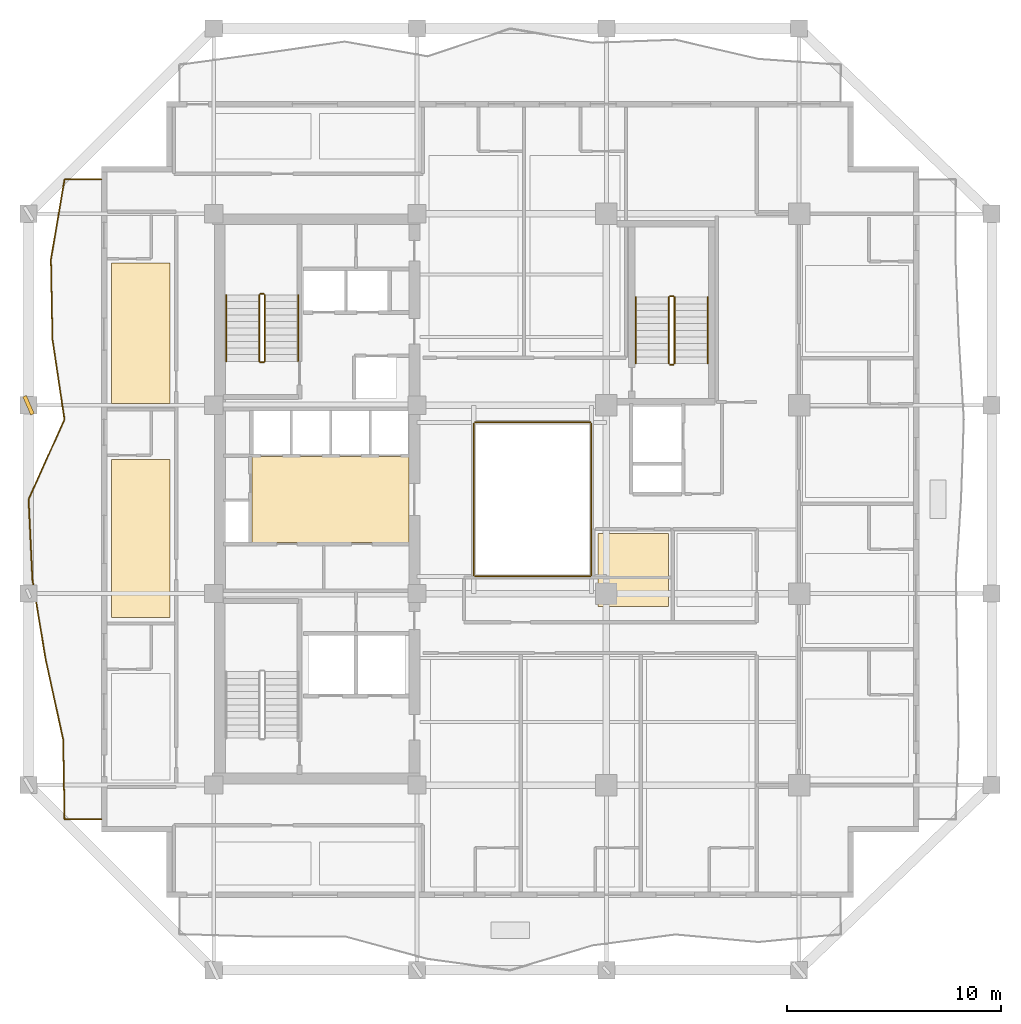
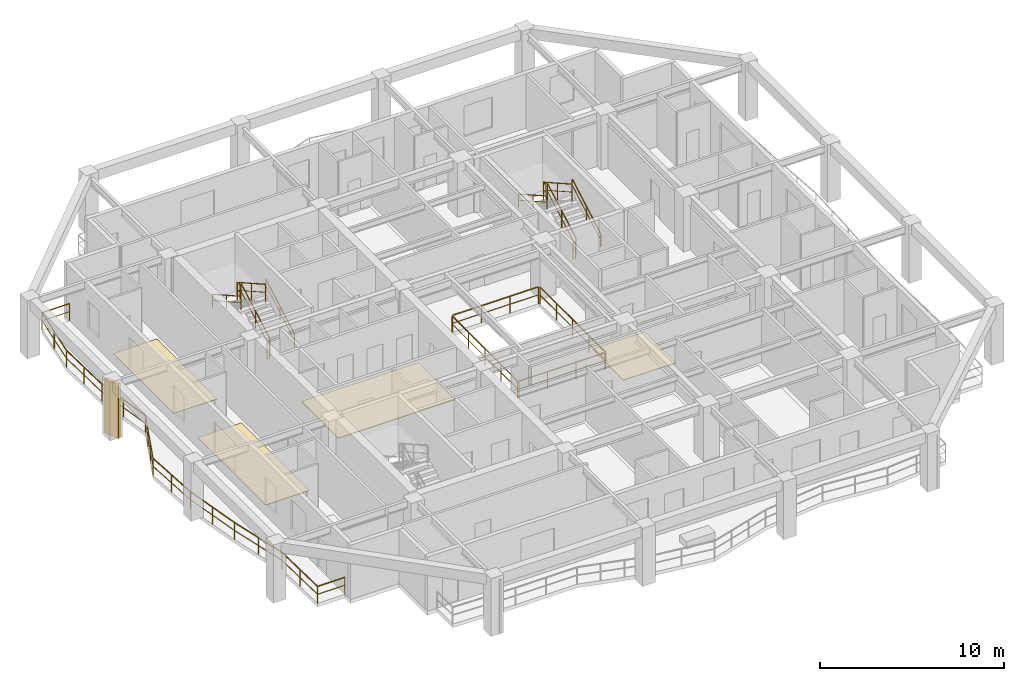
# One storey, part 9 of 11: 17 railings, 4 coverings, 1 shading device.
"""IFC4 building model written with IfcOpenShell, lengths in metres."""

from ifc_helpers import new_model, si_unit, direction, frame, origin, origin_2d, place, context, subcontext, project, spatial, polyline, rectangle, outline, extrude, material, layer, layer_set, type_object, element, save


model = new_model("IFC4")

# Units and contexts
model_context = context("Model", 3, precision=1e-05, world=origin(), true_north=direction((0.0, 1.0)))
body_context = subcontext(model_context, "Body", "Model", "MODEL_VIEW")
ifc_project = project(units=[si_unit("LENGTHUNIT", "METRE"), si_unit("AREAUNIT", "SQUARE_METRE"), si_unit("VOLUMEUNIT", "CUBIC_METRE"), si_unit("PLANEANGLEUNIT", "RADIAN"), si_unit("MASSUNIT", "GRAM", prefix="KILO")], contexts=[model_context])

# Site, building, storey
site_placement = place(None, origin())
site = spatial("IfcSite", under=ifc_project, at=site_placement, CompositionType="ELEMENT")
building_placement = place(site_placement, origin())
building = spatial("IfcBuilding", under=site, at=building_placement, Name="Kundavana Baori Tower", CompositionType="ELEMENT")
storey_placement = place(building_placement, frame((0.0, 0.0, 130.949951171875)))
storey = spatial("IfcBuildingStorey", under=building, at=storey_placement, Name="L31", CompositionType="ELEMENT", Elevation=130.949951171875)

# Coverings
ifc_material_1 = material(Name="Honed Kota Stone and Terrazzo Flooring", Category="masonry")
ifc_layer_1 = layer(ifc_material_1, 0.0400390625, Name="COV-FLR-TERR-40")
ifc_layer_set_1 = layer_set([ifc_layer_1], Name="Honed Kota Stone and Terrazzo Flooring")
covering_type_1 = type_object("IfcCoveringType", Name="COV-FLR-TERR-40", PredefinedType="FLOORING", material=ifc_layer_set_1)
covering_1_placement = place(storey_placement, origin())
element("IfcCovering", 1, at=covering_1_placement, inside=storey, type_object=covering_type_1, Name="L31 Core Lift Lobby Kota Stone Flooring", PredefinedType="FLOORING", context=body_context, shape_type="SweptSolid", body=[
    extrude(outline(polyline([(17.25, 26.580078125), (24.580078125, 26.580078125), (24.580078125, 30.60009765625), (17.25, 30.60009765625), (17.25, 26.580078125)])), origin(), (0.0, 0.0, 1.0), 0.0400390625),
])
ifc_material_2 = material(Name="Honed Kota Stone and Terrazzo Flooring", Category="masonry")
ifc_layer_2 = layer(ifc_material_2, 0.030029296875, Name="COV-INT-FLR")
ifc_layer_set_2 = layer_set([ifc_layer_2], Name="Honed Kota Stone and Terrazzo Flooring")
covering_type_2 = type_object("IfcCoveringType", Name="COV-INT-FLR", PredefinedType="FLOORING", material=ifc_layer_set_2)
covering_2_placement = place(storey_placement, origin())
element("IfcCovering", 2, at=covering_2_placement, inside=storey, type_object=covering_type_2, Name="L31 Room Finished Stone Flooring 2", PredefinedType="FLOORING", context=body_context, shape_type="SweptSolid", body=[
    extrude(outline(polyline([(10.679931640625, 23.080078125), (13.419921875, 23.080078125), (13.419921875, 30.469970703125), (10.679931640625, 30.469970703125), (10.679931640625, 23.080078125)])), origin(), (0.0, 0.0, 1.0), 0.030029296875),
])
covering_3_placement = place(storey_placement, origin())
element("IfcCovering", 3, at=covering_3_placement, inside=storey, type_object=covering_type_2, Name="L31 Room Finished Stone Flooring 3", PredefinedType="FLOORING", context=body_context, shape_type="SweptSolid", body=[
    extrude(outline(polyline([(10.679931640625, 33.080078125), (13.419921875, 33.080078125), (13.419921875, 39.64990234375), (10.679931640625, 39.64990234375), (10.679931640625, 33.080078125)])), origin(), (0.0, 0.0, 1.0), 0.030029296875),
])
covering_4_placement = place(storey_placement, origin())
element("IfcCovering", 4, at=covering_4_placement, inside=storey, type_object=covering_type_2, Name="L31 Room Finished Stone Flooring 17", PredefinedType="FLOORING", context=body_context, shape_type="SweptSolid", body=[
    extrude(outline(polyline([(33.39990234375, 23.60009765625), (36.699951171875, 23.60009765625), (36.699951171875, 27.0), (33.39990234375, 27.0), (33.39990234375, 23.60009765625)])), origin(), (0.0, 0.0, 1.0), 0.030029296875),
])

# Railings
ifc_material_3 = material(Name="Architectural Patinated Bronze Metalwork")
railing_type_1 = type_object("IfcRailingType", Name="RL-BAL-1150", PredefinedType="BALUSTRADE", material=ifc_material_3)
railing_1_placement = place(storey_placement, frame((10.199951171875, 13.64990234375, 0.0)))
element("IfcRailing", 5, at=railing_1_placement, inside=storey, type_object=railing_type_1, Name="L31 Loggia Balcony Balustrade W", PredefinedType="BALUSTRADE", context=body_context, shape_type="SweptSolid", body=[
    extrude(rectangle(XDim=0.048095703125, YDim=0.048095703125, at=origin_2d()), frame((0.0, 0.0, 1.1259765625), z_axis=(-1.0, 0.0, 0.0), x_axis=(0.0, -1.0, 0.0)), (0.0, 0.0, 1.0), 1.719970703125),
    extrude(rectangle(XDim=0.03125, YDim=0.03125, at=origin_2d()), frame((0.0, 0.0, 0.597900390625), z_axis=(-1.0, 0.0, 0.0), x_axis=(0.0, -1.0, 0.0)), (0.0, 0.0, 1.0), 1.719970703125),
    extrude(rectangle(XDim=0.048095703125, YDim=0.048095703125, at=origin_2d()), frame((-1.719970703125, 0.0, 1.1259765625), z_axis=(-0.017375047057, 0.999849042476, 0.0), x_axis=(-0.999849042476, -0.017375047057, 0.0)), (0.0, 0.0, 1.0), 3.737548828125),
    extrude(rectangle(XDim=0.03125, YDim=0.03125, at=origin_2d()), frame((-1.719970703125, 0.0, 0.597900390625), z_axis=(-0.017375047057, 0.999849042476, 0.0), x_axis=(-0.999849042476, -0.017375047057, 0.0)), (0.0, 0.0, 1.0), 3.737548828125),
    extrude(rectangle(XDim=0.048095703125, YDim=0.048095703125, at=origin_2d()), frame((-1.784912109375, 3.737060546875, 1.1259765625), z_axis=(-0.213801530012, 0.976877119071, 0.0), x_axis=(-0.976877119071, -0.213801530012, 0.0)), (0.0, 0.0, 1.0), 3.826416015625),
    extrude(rectangle(XDim=0.03125, YDim=0.03125, at=origin_2d()), frame((-1.784912109375, 3.737060546875, 0.597900390625), z_axis=(-0.213801530012, 0.976877119071, 0.0), x_axis=(-0.976877119071, -0.213801530012, 0.0)), (0.0, 0.0, 1.0), 3.826416015625),
    extrude(rectangle(XDim=0.048095703125, YDim=0.048095703125, at=origin_2d()), frame((-2.60302734375, 7.47509765625, 1.1259765625), z_axis=(-0.162883179532, 0.986645361731, 0.0), x_axis=(-0.986645361731, -0.162883179532, 0.0)), (0.0, 0.0, 1.0), 3.78759765625),
    extrude(rectangle(XDim=0.03125, YDim=0.03125, at=origin_2d()), frame((-2.60302734375, 7.47509765625, 0.597900390625), z_axis=(-0.162883179532, 0.986645361731, 0.0), x_axis=(-0.986645361731, -0.162883179532, 0.0)), (0.0, 0.0, 1.0), 3.78759765625),
    extrude(rectangle(XDim=0.048095703125, YDim=0.048095703125, at=origin_2d()), frame((-3.219970703125, 11.212158203125, 1.1259765625), z_axis=(-0.04807965925, 0.998843504442, 0.0), x_axis=(-0.998843504442, -0.04807965925, 0.0)), (0.0, 0.0, 1.0), 3.742431640625),
    extrude(rectangle(XDim=0.03125, YDim=0.03125, at=origin_2d()), frame((-3.219970703125, 11.212158203125, 0.597900390625), z_axis=(-0.04807965925, 0.998843504442, 0.0), x_axis=(-0.998843504442, -0.04807965925, 0.0)), (0.0, 0.0, 1.0), 3.742431640625),
    extrude(rectangle(XDim=0.048095703125, YDim=0.048095703125, at=origin_2d()), frame((-3.39990234375, 14.9501953125, 1.1259765625), z_axis=(0.409437527409, 0.91233815614, 0.0), x_axis=(-0.91233815614, 0.409437527409, 0.0)), (0.0, 0.0, 1.0), 4.095947265625),
    extrude(rectangle(XDim=0.03125, YDim=0.03125, at=origin_2d()), frame((-3.39990234375, 14.9501953125, 0.597900390625), z_axis=(0.409437527409, 0.91233815614, 0.0), x_axis=(-0.91233815614, 0.409437527409, 0.0)), (0.0, 0.0, 1.0), 4.095947265625),
    extrude(rectangle(XDim=0.048095703125, YDim=0.048095703125, at=origin_2d()), frame((-1.722900390625, 18.68701171875, 1.1259765625), z_axis=(-0.148931000172, 0.988847590475, 0.0), x_axis=(-0.988847590475, -0.148931000172, 0.0)), (0.0, 0.0, 1.0), 3.7802734375),
    extrude(rectangle(XDim=0.03125, YDim=0.03125, at=origin_2d()), frame((-1.722900390625, 18.68701171875, 0.597900390625), z_axis=(-0.148931000172, 0.988847590475, 0.0), x_axis=(-0.988847590475, -0.148931000172, 0.0)), (0.0, 0.0, 1.0), 3.7802734375),
    extrude(rectangle(XDim=0.048095703125, YDim=0.048095703125, at=origin_2d()), frame((-2.285888671875, 22.425048828125, 1.1259765625), z_axis=(-0.019007475561, 0.999819341618, 0.0), x_axis=(-0.999819341618, -0.019007475561, 0.0)), (0.0, 0.0, 1.0), 3.73779296875),
    extrude(rectangle(XDim=0.03125, YDim=0.03125, at=origin_2d()), frame((-2.285888671875, 22.425048828125, 0.597900390625), z_axis=(-0.019007475561, 0.999819341618, 0.0), x_axis=(-0.999819341618, -0.019007475561, 0.0)), (0.0, 0.0, 1.0), 3.73779296875),
    extrude(rectangle(XDim=0.048095703125, YDim=0.048095703125, at=origin_2d()), frame((-2.35693359375, 26.162109375, 1.1259765625), z_axis=(0.167979072245, 0.985790561574, 0.0), x_axis=(-0.985790561574, 0.167979072245, 0.0)), (0.0, 0.0, 1.0), 3.7919921875),
    extrude(rectangle(XDim=0.03125, YDim=0.03125, at=origin_2d()), frame((-2.35693359375, 26.162109375, 0.597900390625), z_axis=(0.167979072245, 0.985790561574, 0.0), x_axis=(-0.985790561574, 0.167979072245, 0.0)), (0.0, 0.0, 1.0), 3.7919921875),
    extrude(rectangle(XDim=0.048095703125, YDim=0.048095703125, at=origin_2d()), frame((-1.719970703125, 29.900146484375, 1.1259765625), z_axis=(1.0, 0.0, 0.0), x_axis=(0.0, 1.0, 0.0)), (0.0, 0.0, 1.0), 1.719970703125),
    extrude(rectangle(XDim=0.03125, YDim=0.03125, at=origin_2d()), frame((-1.719970703125, 29.900146484375, 0.597900390625), z_axis=(1.0, 0.0, 0.0), x_axis=(0.0, 1.0, 0.0)), (0.0, 0.0, 1.0), 1.719970703125),
    extrude(rectangle(XDim=0.0419921875, YDim=0.0419921875, at=origin_2d()), origin(), (0.0, 0.0, 1.0), 1.101806640625),
    extrude(rectangle(XDim=0.0419921875, YDim=0.0419921875, at=origin_2d()), frame((-1.719970703125, 0.0, 0.0)), (0.0, 0.0, 1.0), 1.101806640625),
    extrude(rectangle(XDim=0.0419921875, YDim=0.0419921875, at=origin_2d()), frame((-1.75244140625, 1.86865234375, 0.0)), (0.0, 0.0, 1.0), 1.101806640625),
    extrude(rectangle(XDim=0.0419921875, YDim=0.0419921875, at=origin_2d()), frame((-1.784912109375, 3.737060546875, 0.0)), (0.0, 0.0, 1.0), 1.101806640625),
    extrude(rectangle(XDim=0.0419921875, YDim=0.0419921875, at=origin_2d()), frame((-2.19384765625, 5.60595703125, 0.0)), (0.0, 0.0, 1.0), 1.101806640625),
    extrude(rectangle(XDim=0.0419921875, YDim=0.0419921875, at=origin_2d()), frame((-2.60302734375, 7.47509765625, 0.0)), (0.0, 0.0, 1.0), 1.101806640625),
    extrude(rectangle(XDim=0.0419921875, YDim=0.0419921875, at=origin_2d()), frame((-2.91162109375, 9.34375, 0.0)), (0.0, 0.0, 1.0), 1.101806640625),
    extrude(rectangle(XDim=0.0419921875, YDim=0.0419921875, at=origin_2d()), frame((-3.219970703125, 11.212158203125, 0.0)), (0.0, 0.0, 1.0), 1.101806640625),
    extrude(rectangle(XDim=0.0419921875, YDim=0.0419921875, at=origin_2d()), frame((-3.31005859375, 13.0810546875, 0.0)), (0.0, 0.0, 1.0), 1.101806640625),
    extrude(rectangle(XDim=0.0419921875, YDim=0.0419921875, at=origin_2d()), frame((-3.39990234375, 14.9501953125, 0.0)), (0.0, 0.0, 1.0), 1.101806640625),
    extrude(rectangle(XDim=0.0419921875, YDim=0.0419921875, at=origin_2d()), frame((-2.8408203125, 16.19580078125, 0.0)), (0.0, 0.0, 1.0), 1.101806640625),
    extrude(rectangle(XDim=0.0419921875, YDim=0.0419921875, at=origin_2d()), frame((-2.281982421875, 17.44140625, 0.0)), (0.0, 0.0, 1.0), 1.101806640625),
    extrude(rectangle(XDim=0.0419921875, YDim=0.0419921875, at=origin_2d()), frame((-1.722900390625, 18.68701171875, 0.0)), (0.0, 0.0, 1.0), 1.101806640625),
    extrude(rectangle(XDim=0.0419921875, YDim=0.0419921875, at=origin_2d()), frame((-2.00439453125, 20.55615234375, 0.0)), (0.0, 0.0, 1.0), 1.101806640625),
    extrude(rectangle(XDim=0.0419921875, YDim=0.0419921875, at=origin_2d()), frame((-2.285888671875, 22.425048828125, 0.0)), (0.0, 0.0, 1.0), 1.101806640625),
    extrude(rectangle(XDim=0.0419921875, YDim=0.0419921875, at=origin_2d()), frame((-2.3212890625, 24.29345703125, 0.0)), (0.0, 0.0, 1.0), 1.101806640625),
    extrude(rectangle(XDim=0.0419921875, YDim=0.0419921875, at=origin_2d()), frame((-2.35693359375, 26.162109375, 0.0)), (0.0, 0.0, 1.0), 1.101806640625),
    extrude(rectangle(XDim=0.0419921875, YDim=0.0419921875, at=origin_2d()), frame((-2.03857421875, 28.03125, 0.0)), (0.0, 0.0, 1.0), 1.101806640625),
    extrude(rectangle(XDim=0.0419921875, YDim=0.0419921875, at=origin_2d()), frame((-1.719970703125, 29.900146484375, 0.0)), (0.0, 0.0, 1.0), 1.101806640625),
    extrude(rectangle(XDim=0.0419921875, YDim=0.0419921875, at=origin_2d()), frame((0.0, 29.900146484375, 0.0)), (0.0, 0.0, 1.0), 1.101806640625),
])
ifc_material_4 = material(Name="Architectural Patinated Bronze Metalwork")
railing_type_2 = type_object("IfcRailingType", Name="RL-GRD-1150", PredefinedType="GUARDRAIL", material=ifc_material_4)
railing_2_placement = place(storey_placement, frame((17.840087890625, 35.050048828125, 0.175048828125)))
element("IfcRailing", 6, at=railing_2_placement, inside=storey, type_object=railing_type_2, Name="L31 ST2 stair guard 1", PredefinedType="GUARDRAIL", context=body_context, shape_type="SweptSolid", body=[
    extrude(rectangle(XDim=0.048095703125, YDim=0.048095703125, at=origin_2d()), frame((0.0, 0.0, 1.1259765625), z_axis=(0.0, 0.870814364268, 0.491611984175), x_axis=(-1.0, 0.0, 0.0)), (0.0, 0.0, 1.0), 3.559814453125),
    extrude(rectangle(XDim=0.03125, YDim=0.03125, at=origin_2d()), frame((0.0, 0.0, 0.597900390625), z_axis=(0.0, 0.870814364268, 0.491611984175), x_axis=(-1.0, 0.0, 0.0)), (0.0, 0.0, 1.0), 3.559814453125),
    extrude(rectangle(XDim=0.0419921875, YDim=0.0419921875, at=origin_2d()), origin(), (0.0, 0.0, 1.0), 1.101806640625),
    extrude(rectangle(XDim=0.0419921875, YDim=0.0419921875, at=origin_2d()), frame((0.0, 1.5498046875, 0.875)), (0.0, 0.0, 1.0), 1.101806640625),
    extrude(rectangle(XDim=0.0419921875, YDim=0.0419921875, at=origin_2d()), frame((0.0, 3.099853515625, 1.75)), (0.0, 0.0, 1.0), 1.101806640625),
])
railing_3_placement = place(storey_placement, frame((17.7900390625, 38.199951171875, 1.925048828125)))
element("IfcRailing", 7, at=railing_3_placement, inside=storey, type_object=railing_type_2, Name="L31 ST2 stair guard 2", PredefinedType="GUARDRAIL", context=body_context, shape_type="SweptSolid", body=[
    extrude(rectangle(XDim=0.048095703125, YDim=0.048095703125, at=origin_2d()), frame((0.0, 0.0, 1.1259765625), z_axis=(-1.0, 0.0, 0.0), x_axis=(0.0, -1.0, 0.0)), (0.0, 0.0, 1.0), 0.16015625),
    extrude(rectangle(XDim=0.03125, YDim=0.03125, at=origin_2d()), frame((0.0, 0.0, 0.597900390625), z_axis=(-1.0, 0.0, 0.0), x_axis=(0.0, -1.0, 0.0)), (0.0, 0.0, 1.0), 0.16015625),
    extrude(rectangle(XDim=0.0419921875, YDim=0.0419921875, at=origin_2d()), origin(), (0.0, 0.0, 1.0), 1.101806640625),
    extrude(rectangle(XDim=0.0419921875, YDim=0.0419921875, at=origin_2d()), frame((-0.16015625, 0.0, 0.0)), (0.0, 0.0, 1.0), 1.101806640625),
])
railing_4_placement = place(storey_placement, frame((17.580078125, 38.14990234375, 2.10009765625)))
element("IfcRailing", 8, at=railing_4_placement, inside=storey, type_object=railing_type_2, Name="L31 ST2 stair guard 3", PredefinedType="GUARDRAIL", context=body_context, shape_type="SweptSolid", body=[
    extrude(rectangle(XDim=0.048095703125, YDim=0.048095703125, at=origin_2d()), frame((0.0, 0.0, 1.1259765625), z_axis=(0.0, -0.870814364268, 0.491611984175), x_axis=(1.0, 0.0, 0.0)), (0.0, 0.0, 1.0), 3.559814453125),
    extrude(rectangle(XDim=0.03125, YDim=0.03125, at=origin_2d()), frame((0.0, 0.0, 0.597900390625), z_axis=(0.0, -0.870814364268, 0.491611984175), x_axis=(1.0, 0.0, 0.0)), (0.0, 0.0, 1.0), 3.559814453125),
    extrude(rectangle(XDim=0.0419921875, YDim=0.0419921875, at=origin_2d()), origin(), (0.0, 0.0, 1.0), 1.101806640625),
    extrude(rectangle(XDim=0.0419921875, YDim=0.0419921875, at=origin_2d()), frame((0.0, -1.5498046875, 0.875)), (0.0, 0.0, 1.0), 1.101806640625),
    extrude(rectangle(XDim=0.0419921875, YDim=0.0419921875, at=origin_2d()), frame((0.0, -3.099853515625, 1.75)), (0.0, 0.0, 1.0), 1.101806640625),
])
railing_5_placement = place(storey_placement, frame((17.7900390625, 35.0, 0.0)))
element("IfcRailing", 9, at=railing_5_placement, inside=storey, type_object=railing_type_2, Name="L31 ST2 stair guard 4", PredefinedType="GUARDRAIL", context=body_context, shape_type="SweptSolid", body=[
    extrude(rectangle(XDim=0.048095703125, YDim=0.048095703125, at=origin_2d()), frame((0.0, 0.0, 1.1259765625), z_axis=(-1.0, 0.0, 0.0), x_axis=(0.0, -1.0, 0.0)), (0.0, 0.0, 1.0), 0.16015625),
    extrude(rectangle(XDim=0.03125, YDim=0.03125, at=origin_2d()), frame((0.0, 0.0, 0.597900390625), z_axis=(-1.0, 0.0, 0.0), x_axis=(0.0, -1.0, 0.0)), (0.0, 0.0, 1.0), 0.16015625),
    extrude(rectangle(XDim=0.0419921875, YDim=0.0419921875, at=origin_2d()), origin(), (0.0, 0.0, 1.0), 1.101806640625),
    extrude(rectangle(XDim=0.0419921875, YDim=0.0419921875, at=origin_2d()), frame((-0.16015625, 0.0, 0.0)), (0.0, 0.0, 1.0), 1.101806640625),
])
railing_6_placement = place(storey_placement, frame((36.97998046875, 34.949951171875, 0.175048828125)))
element("IfcRailing", 10, at=railing_6_placement, inside=storey, type_object=railing_type_2, Name="L31 ST3 stair guard 1", PredefinedType="GUARDRAIL", context=body_context, shape_type="SweptSolid", body=[
    extrude(rectangle(XDim=0.048095703125, YDim=0.048095703125, at=origin_2d()), frame((0.0, 0.0, 1.1259765625), z_axis=(0.0, 0.870830938388, 0.491582624537), x_axis=(-1.0, 0.0, 0.0)), (0.0, 0.0, 1.0), 3.559814453125),
    extrude(rectangle(XDim=0.03125, YDim=0.03125, at=origin_2d()), frame((0.0, 0.0, 0.597900390625), z_axis=(0.0, 0.870830938388, 0.491582624537), x_axis=(-1.0, 0.0, 0.0)), (0.0, 0.0, 1.0), 3.559814453125),
    extrude(rectangle(XDim=0.0419921875, YDim=0.0419921875, at=origin_2d()), origin(), (0.0, 0.0, 1.0), 1.101806640625),
    extrude(rectangle(XDim=0.0419921875, YDim=0.0419921875, at=origin_2d()), frame((0.0, 1.550048828125, 0.875)), (0.0, 0.0, 1.0), 1.101806640625),
    extrude(rectangle(XDim=0.0419921875, YDim=0.0419921875, at=origin_2d()), frame((0.0, 3.10009765625, 1.75)), (0.0, 0.0, 1.0), 1.101806640625),
])
railing_7_placement = place(storey_placement, frame((36.929931640625, 38.10009765625, 1.925048828125)))
element("IfcRailing", 11, at=railing_7_placement, inside=storey, type_object=railing_type_2, Name="L31 ST3 stair guard 2", PredefinedType="GUARDRAIL", context=body_context, shape_type="SweptSolid", body=[
    extrude(rectangle(XDim=0.048095703125, YDim=0.048095703125, at=origin_2d()), frame((0.0, 0.0, 1.1259765625), z_axis=(-1.0, 0.0, 0.0), x_axis=(0.0, -1.0, 0.0)), (0.0, 0.0, 1.0), 0.159912109375),
    extrude(rectangle(XDim=0.03125, YDim=0.03125, at=origin_2d()), frame((0.0, 0.0, 0.597900390625), z_axis=(-1.0, 0.0, 0.0), x_axis=(0.0, -1.0, 0.0)), (0.0, 0.0, 1.0), 0.159912109375),
    extrude(rectangle(XDim=0.0419921875, YDim=0.0419921875, at=origin_2d()), origin(), (0.0, 0.0, 1.0), 1.101806640625),
    extrude(rectangle(XDim=0.0419921875, YDim=0.0419921875, at=origin_2d()), frame((-0.159912109375, 0.0, 0.0)), (0.0, 0.0, 1.0), 1.101806640625),
])
railing_8_placement = place(storey_placement, frame((36.719970703125, 38.050048828125, 2.10009765625)))
element("IfcRailing", 12, at=railing_8_placement, inside=storey, type_object=railing_type_2, Name="L31 ST3 stair guard 3", PredefinedType="GUARDRAIL", context=body_context, shape_type="SweptSolid", body=[
    extrude(rectangle(XDim=0.048095703125, YDim=0.048095703125, at=origin_2d()), frame((0.0, 0.0, 1.1259765625), z_axis=(0.0, -0.870830938388, 0.491582624537), x_axis=(1.0, 0.0, 0.0)), (0.0, 0.0, 1.0), 3.559814453125),
    extrude(rectangle(XDim=0.03125, YDim=0.03125, at=origin_2d()), frame((0.0, 0.0, 0.597900390625), z_axis=(0.0, -0.870830938388, 0.491582624537), x_axis=(1.0, 0.0, 0.0)), (0.0, 0.0, 1.0), 3.559814453125),
    extrude(rectangle(XDim=0.0419921875, YDim=0.0419921875, at=origin_2d()), origin(), (0.0, 0.0, 1.0), 1.101806640625),
    extrude(rectangle(XDim=0.0419921875, YDim=0.0419921875, at=origin_2d()), frame((0.0, -1.550048828125, 0.875)), (0.0, 0.0, 1.0), 1.101806640625),
    extrude(rectangle(XDim=0.0419921875, YDim=0.0419921875, at=origin_2d()), frame((0.0, -3.10009765625, 1.75)), (0.0, 0.0, 1.0), 1.101806640625),
])
railing_9_placement = place(storey_placement, frame((36.929931640625, 34.89990234375, 0.0)))
element("IfcRailing", 13, at=railing_9_placement, inside=storey, type_object=railing_type_2, Name="L31 ST3 stair guard 4", PredefinedType="GUARDRAIL", context=body_context, shape_type="SweptSolid", body=[
    extrude(rectangle(XDim=0.048095703125, YDim=0.048095703125, at=origin_2d()), frame((0.0, 0.0, 1.1259765625), z_axis=(-1.0, 0.0, 0.0), x_axis=(0.0, -1.0, 0.0)), (0.0, 0.0, 1.0), 0.159912109375),
    extrude(rectangle(XDim=0.03125, YDim=0.03125, at=origin_2d()), frame((0.0, 0.0, 0.597900390625), z_axis=(-1.0, 0.0, 0.0), x_axis=(0.0, -1.0, 0.0)), (0.0, 0.0, 1.0), 0.159912109375),
    extrude(rectangle(XDim=0.0419921875, YDim=0.0419921875, at=origin_2d()), origin(), (0.0, 0.0, 1.0), 1.101806640625),
    extrude(rectangle(XDim=0.0419921875, YDim=0.0419921875, at=origin_2d()), frame((-0.159912109375, 0.0, 0.0)), (0.0, 0.0, 1.0), 1.101806640625),
])
railing_10_placement = place(storey_placement, frame((27.659912109375, 25.0, 0.0)))
element("IfcRailing", 14, at=railing_10_placement, inside=storey, type_object=railing_type_2, Name="L31 Atrium Void Perimeter Guardrail S", PredefinedType="GUARDRAIL", context=body_context, shape_type="SweptSolid", body=[
    extrude(rectangle(XDim=0.048095703125, YDim=0.048095703125, at=origin_2d()), frame((0.0, 0.0, 1.1259765625), z_axis=(1.0, 0.0, 0.0), x_axis=(0.0, 1.0, 0.0)), (0.0, 0.0, 1.0), 5.380126953125),
    extrude(rectangle(XDim=0.03125, YDim=0.03125, at=origin_2d()), frame((0.0, 0.0, 0.597900390625), z_axis=(1.0, 0.0, 0.0), x_axis=(0.0, 1.0, 0.0)), (0.0, 0.0, 1.0), 5.380126953125),
    extrude(rectangle(XDim=0.0419921875, YDim=0.0419921875, at=origin_2d()), origin(), (0.0, 0.0, 1.0), 1.101806640625),
    extrude(rectangle(XDim=0.0419921875, YDim=0.0419921875, at=origin_2d()), frame((1.79345703125, 0.0, 0.0)), (0.0, 0.0, 1.0), 1.101806640625),
    extrude(rectangle(XDim=0.0419921875, YDim=0.0419921875, at=origin_2d()), frame((3.586669921875, 0.0, 0.0)), (0.0, 0.0, 1.0), 1.101806640625),
    extrude(rectangle(XDim=0.0419921875, YDim=0.0419921875, at=origin_2d()), frame((5.380126953125, 0.0, 0.0)), (0.0, 0.0, 1.0), 1.101806640625),
])
railing_11_placement = place(storey_placement, frame((33.10009765625, 25.06005859375, 0.0)))
element("IfcRailing", 15, at=railing_11_placement, inside=storey, type_object=railing_type_2, Name="L31 Atrium Void Perimeter Guardrail E", PredefinedType="GUARDRAIL", context=body_context, shape_type="SweptSolid", body=[
    extrude(rectangle(XDim=0.048095703125, YDim=0.048095703125, at=origin_2d()), frame((0.0, 0.0, 1.1259765625), z_axis=(0.0, 1.0, 0.0), x_axis=(-1.0, 0.0, 0.0)), (0.0, 0.0, 1.0), 7.079833984375),
    extrude(rectangle(XDim=0.03125, YDim=0.03125, at=origin_2d()), frame((0.0, 0.0, 0.597900390625), z_axis=(0.0, 1.0, 0.0), x_axis=(-1.0, 0.0, 0.0)), (0.0, 0.0, 1.0), 7.079833984375),
    extrude(rectangle(XDim=0.0419921875, YDim=0.0419921875, at=origin_2d()), origin(), (0.0, 0.0, 1.0), 1.101806640625),
    extrude(rectangle(XDim=0.0419921875, YDim=0.0419921875, at=origin_2d()), frame((0.0, 1.77001953125, 0.0)), (0.0, 0.0, 1.0), 1.101806640625),
    extrude(rectangle(XDim=0.0419921875, YDim=0.0419921875, at=origin_2d()), frame((0.0, 3.5400390625, 0.0)), (0.0, 0.0, 1.0), 1.101806640625),
    extrude(rectangle(XDim=0.0419921875, YDim=0.0419921875, at=origin_2d()), frame((0.0, 5.309814453125, 0.0)), (0.0, 0.0, 1.0), 1.101806640625),
    extrude(rectangle(XDim=0.0419921875, YDim=0.0419921875, at=origin_2d()), frame((0.0, 7.079833984375, 0.0)), (0.0, 0.0, 1.0), 1.101806640625),
])
railing_12_placement = place(storey_placement, frame((33.0400390625, 32.199951171875, 0.0)))
element("IfcRailing", 16, at=railing_12_placement, inside=storey, type_object=railing_type_2, Name="L31 Atrium Void Perimeter Guardrail N", PredefinedType="GUARDRAIL", context=body_context, shape_type="SweptSolid", body=[
    extrude(rectangle(XDim=0.048095703125, YDim=0.048095703125, at=origin_2d()), frame((0.0, 0.0, 1.1259765625), z_axis=(-1.0, 0.0, 0.0), x_axis=(0.0, -1.0, 0.0)), (0.0, 0.0, 1.0), 5.380126953125),
    extrude(rectangle(XDim=0.03125, YDim=0.03125, at=origin_2d()), frame((0.0, 0.0, 0.597900390625), z_axis=(-1.0, 0.0, 0.0), x_axis=(0.0, -1.0, 0.0)), (0.0, 0.0, 1.0), 5.380126953125),
    extrude(rectangle(XDim=0.0419921875, YDim=0.0419921875, at=origin_2d()), origin(), (0.0, 0.0, 1.0), 1.101806640625),
    extrude(rectangle(XDim=0.0419921875, YDim=0.0419921875, at=origin_2d()), frame((-1.79345703125, 0.0, 0.0)), (0.0, 0.0, 1.0), 1.101806640625),
    extrude(rectangle(XDim=0.0419921875, YDim=0.0419921875, at=origin_2d()), frame((-3.586669921875, 0.0, 0.0)), (0.0, 0.0, 1.0), 1.101806640625),
    extrude(rectangle(XDim=0.0419921875, YDim=0.0419921875, at=origin_2d()), frame((-5.380126953125, 0.0, 0.0)), (0.0, 0.0, 1.0), 1.101806640625),
])
railing_13_placement = place(storey_placement, frame((27.60009765625, 32.139892578125, 0.0)))
element("IfcRailing", 17, at=railing_13_placement, inside=storey, type_object=railing_type_2, Name="L31 Atrium Void Perimeter Guardrail W", PredefinedType="GUARDRAIL", context=body_context, shape_type="SweptSolid", body=[
    extrude(rectangle(XDim=0.048095703125, YDim=0.048095703125, at=origin_2d()), frame((0.0, 0.0, 1.1259765625), z_axis=(0.0, -1.0, 0.0), x_axis=(1.0, 0.0, 0.0)), (0.0, 0.0, 1.0), 7.079833984375),
    extrude(rectangle(XDim=0.03125, YDim=0.03125, at=origin_2d()), frame((0.0, 0.0, 0.597900390625), z_axis=(0.0, -1.0, 0.0), x_axis=(1.0, 0.0, 0.0)), (0.0, 0.0, 1.0), 7.079833984375),
    extrude(rectangle(XDim=0.0419921875, YDim=0.0419921875, at=origin_2d()), origin(), (0.0, 0.0, 1.0), 1.101806640625),
    extrude(rectangle(XDim=0.0419921875, YDim=0.0419921875, at=origin_2d()), frame((0.0, -1.77001953125, 0.0)), (0.0, 0.0, 1.0), 1.101806640625),
    extrude(rectangle(XDim=0.0419921875, YDim=0.0419921875, at=origin_2d()), frame((0.0, -3.5400390625, 0.0)), (0.0, 0.0, 1.0), 1.101806640625),
    extrude(rectangle(XDim=0.0419921875, YDim=0.0419921875, at=origin_2d()), frame((0.0, -5.309814453125, 0.0)), (0.0, 0.0, 1.0), 1.101806640625),
    extrude(rectangle(XDim=0.0419921875, YDim=0.0419921875, at=origin_2d()), frame((0.0, -7.079833984375, 0.0)), (0.0, 0.0, 1.0), 1.101806640625),
])
ifc_material_5 = material(Name="Architectural Patinated Bronze Metalwork")
railing_type_3 = type_object("IfcRailingType", Name="RL-HND-920", PredefinedType="HANDRAIL", material=ifc_material_5)
railing_14_placement = place(storey_placement, frame((19.389892578125, 35.050048828125, 0.175048828125)))
element("IfcRailing", 18, at=railing_14_placement, inside=storey, type_object=railing_type_3, Name="L31 ST2 stair handrail 1", PredefinedType="HANDRAIL", context=body_context, shape_type="SweptSolid", body=[
    extrude(rectangle(XDim=0.048095703125, YDim=0.048095703125, at=origin_2d()), frame((0.0, 0.0, 0.8759765625), z_axis=(0.0, 0.870814364268, 0.491611984175), x_axis=(-1.0, 0.0, 0.0)), (0.0, 0.0, 1.0), 3.559814453125),
    extrude(rectangle(XDim=0.03125, YDim=0.03125, at=origin_2d()), frame((0.0, 0.0, 0.468017578125), z_axis=(0.0, 0.870814364268, 0.491611984175), x_axis=(-1.0, 0.0, 0.0)), (0.0, 0.0, 1.0), 3.559814453125),
    extrude(rectangle(XDim=0.0419921875, YDim=0.0419921875, at=origin_2d()), origin(), (0.0, 0.0, 1.0), 0.851806640625),
    extrude(rectangle(XDim=0.0419921875, YDim=0.0419921875, at=origin_2d()), frame((0.0, 1.5498046875, 0.875)), (0.0, 0.0, 1.0), 0.851806640625),
    extrude(rectangle(XDim=0.0419921875, YDim=0.0419921875, at=origin_2d()), frame((0.0, 3.099853515625, 1.75)), (0.0, 0.0, 1.0), 0.851806640625),
])
railing_15_placement = place(storey_placement, frame((16.030029296875, 38.14990234375, 2.10009765625)))
element("IfcRailing", 19, at=railing_15_placement, inside=storey, type_object=railing_type_3, Name="L31 ST2 stair handrail 2", PredefinedType="HANDRAIL", context=body_context, shape_type="SweptSolid", body=[
    extrude(rectangle(XDim=0.048095703125, YDim=0.048095703125, at=origin_2d()), frame((0.0, 0.0, 0.8759765625), z_axis=(0.0, -0.870814364268, 0.491611984175), x_axis=(1.0, 0.0, 0.0)), (0.0, 0.0, 1.0), 3.559814453125),
    extrude(rectangle(XDim=0.03125, YDim=0.03125, at=origin_2d()), frame((0.0, 0.0, 0.468017578125), z_axis=(0.0, -0.870814364268, 0.491611984175), x_axis=(1.0, 0.0, 0.0)), (0.0, 0.0, 1.0), 3.559814453125),
    extrude(rectangle(XDim=0.0419921875, YDim=0.0419921875, at=origin_2d()), origin(), (0.0, 0.0, 1.0), 0.851806640625),
    extrude(rectangle(XDim=0.0419921875, YDim=0.0419921875, at=origin_2d()), frame((0.0, -1.5498046875, 0.875)), (0.0, 0.0, 1.0), 0.851806640625),
    extrude(rectangle(XDim=0.0419921875, YDim=0.0419921875, at=origin_2d()), frame((0.0, -3.099853515625, 1.75)), (0.0, 0.0, 1.0), 0.851806640625),
])
railing_16_placement = place(storey_placement, frame((38.530029296875, 34.949951171875, 0.175048828125)))
element("IfcRailing", 20, at=railing_16_placement, inside=storey, type_object=railing_type_3, Name="L31 ST3 stair handrail 1", PredefinedType="HANDRAIL", context=body_context, shape_type="SweptSolid", body=[
    extrude(rectangle(XDim=0.048095703125, YDim=0.048095703125, at=origin_2d()), frame((0.0, 0.0, 0.8759765625), z_axis=(0.0, 0.870830938388, 0.491582624537), x_axis=(-1.0, 0.0, 0.0)), (0.0, 0.0, 1.0), 3.559814453125),
    extrude(rectangle(XDim=0.03125, YDim=0.03125, at=origin_2d()), frame((0.0, 0.0, 0.468017578125), z_axis=(0.0, 0.870830938388, 0.491582624537), x_axis=(-1.0, 0.0, 0.0)), (0.0, 0.0, 1.0), 3.559814453125),
    extrude(rectangle(XDim=0.0419921875, YDim=0.0419921875, at=origin_2d()), origin(), (0.0, 0.0, 1.0), 0.851806640625),
    extrude(rectangle(XDim=0.0419921875, YDim=0.0419921875, at=origin_2d()), frame((0.0, 1.550048828125, 0.875)), (0.0, 0.0, 1.0), 0.851806640625),
    extrude(rectangle(XDim=0.0419921875, YDim=0.0419921875, at=origin_2d()), frame((0.0, 3.10009765625, 1.75)), (0.0, 0.0, 1.0), 0.851806640625),
])
railing_17_placement = place(storey_placement, frame((35.169921875, 38.050048828125, 2.10009765625)))
element("IfcRailing", 21, at=railing_17_placement, inside=storey, type_object=railing_type_3, Name="L31 ST3 stair handrail 2", PredefinedType="HANDRAIL", context=body_context, shape_type="SweptSolid", body=[
    extrude(rectangle(XDim=0.048095703125, YDim=0.048095703125, at=origin_2d()), frame((0.0, 0.0, 0.8759765625), z_axis=(0.0, -0.870830938388, 0.491582624537), x_axis=(1.0, 0.0, 0.0)), (0.0, 0.0, 1.0), 3.559814453125),
    extrude(rectangle(XDim=0.03125, YDim=0.03125, at=origin_2d()), frame((0.0, 0.0, 0.468017578125), z_axis=(0.0, -0.870830938388, 0.491582624537), x_axis=(1.0, 0.0, 0.0)), (0.0, 0.0, 1.0), 3.559814453125),
    extrude(rectangle(XDim=0.0419921875, YDim=0.0419921875, at=origin_2d()), origin(), (0.0, 0.0, 1.0), 0.851806640625),
    extrude(rectangle(XDim=0.0419921875, YDim=0.0419921875, at=origin_2d()), frame((0.0, -1.550048828125, 0.875)), (0.0, 0.0, 1.0), 0.851806640625),
    extrude(rectangle(XDim=0.0419921875, YDim=0.0419921875, at=origin_2d()), frame((0.0, -3.10009765625, 1.75)), (0.0, 0.0, 1.0), 0.851806640625),
])

# Shading device
ifc_material_6 = material(Name="Red-Buff Dholpur Sandstone Cladding on Concrete C40/50", Category="masonry")
shading_device_type = type_object("IfcShadingDeviceType", Name="SHD-FIN-920", PredefinedType="JALOUSIE", material=ifc_material_6)
shading_device_placement = place(storey_placement, frame((6.800048828125, 33.0, 0.0), z_axis=(0.0, 0.0, 1.0), x_axis=(0.916432589693, 0.400189090992, 0.0)))
element("IfcShadingDevice", 22, at=shading_device_placement, inside=storey, type_object=shading_device_type, Name="L31 Sweeping Dholpur Sandstone Facade Fin 7", PredefinedType="JALOUSIE", context=body_context, shape_type="SweptSolid", body=[
    extrude(rectangle(XDim=0.179931640625, YDim=0.919921875, at=origin_2d()), origin(), (0.0, 0.0, 1.0), 3.60009765625),
])

save(model, "model.ifc")
